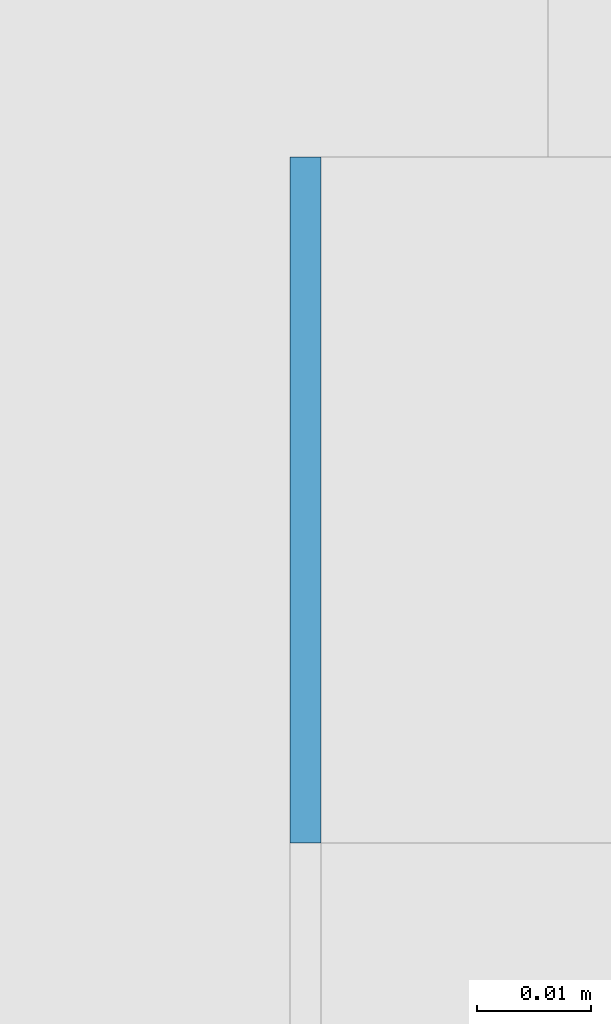
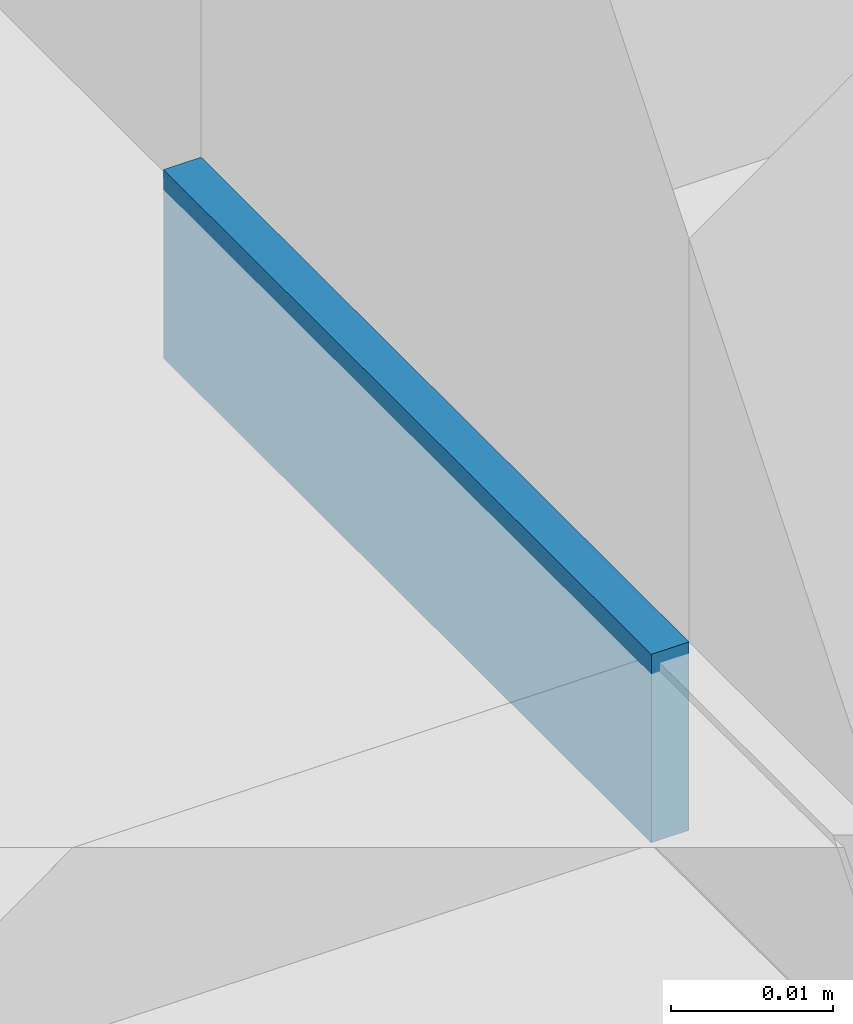
# One storey, part 574 of 646: 1 discrete accessory.
"""IFC4 building model written with IfcOpenShell, lengths in metres."""

import ifcopenshell
import ifcopenshell.guid

model = None  # the IFC model being written
_history = None  # IfcOwnerHistory: only IFC2X3 demands one
_inside = {}  # id of a spatial element -> (the spatial element, [elements in it])
_under = {}  # id of a project, library or spatial element -> (it, [spatial elements below it])
_declared = {}  # id of a project -> (the project, [libraries it declares])
_typed = {}  # id of a type object -> (the type object, [elements of that type])
_made_of = {}  # id of a material, layer set ... -> (it, [elements and type objects made of it])


def new_model(schema):
    """Start an empty IFC model of exactly this schema.

    Asked for "IFC4X3", IfcOpenShell would pick the latest addendum, in which some entities
    have other attributes; the version numbers below select the first issue.
    IFC2X3 requires an IfcOwnerHistory on every rooted entity: one is made here for all.
    """
    global model, _history
    if schema == "IFC4X3":
        model = ifcopenshell.file(schema_version=(4, 3, 0, 0))
    else:
        model = ifcopenshell.file(schema=schema)
    _inside.clear()
    _under.clear()
    _declared.clear()
    _typed.clear()
    _made_of.clear()
    _history = None
    if model.schema == "IFC2X3":
        org = make("IfcOrganization", Name="unknown")
        user = make(
            "IfcPersonAndOrganization",
            ThePerson=make("IfcPerson", FamilyName="unknown"),
            TheOrganization=org,
        )
        app = make(
            "IfcApplication",
            ApplicationDeveloper=org,
            Version="unknown",
            ApplicationFullName="unknown",
            ApplicationIdentifier="unknown",
        )
        _history = make(
            "IfcOwnerHistory",
            OwningUser=user,
            OwningApplication=app,
            ChangeAction="ADDED",
            CreationDate=0,
        )
    return model


def make(cls, **values):
    """One entity of the class cls with the attributes given. An attribute that is None is left unset."""
    return model.create_entity(
        cls, **{name: value for name, value in values.items() if value is not None}
    )


def rooted(cls, **values):
    """An entity with a GlobalId (a new one), such as an element, a storey or a relation."""
    return make(cls, GlobalId=ifcopenshell.guid.new(), OwnerHistory=_history, **values)


def si_unit(unit_type, name, prefix=None):
    """IfcSIUnit, for example si_unit("LENGTHUNIT", "METRE", prefix="MILLI")."""
    return make("IfcSIUnit", UnitType=unit_type, Prefix=prefix, Name=name)


def assignment(units):
    """IfcUnitAssignment: the units of a project."""
    return None if units is None else make("IfcUnitAssignment", Units=units)


def point(xyz):
    """IfcCartesianPoint."""
    return None if xyz is None else make("IfcCartesianPoint", Coordinates=xyz)


def direction(xyz):
    """IfcDirection."""
    return None if xyz is None else make("IfcDirection", DirectionRatios=xyz)


def frame(location, z_axis=None, x_axis=None):
    """IfcAxis2Placement3D, a coordinate frame: its origin and axes. An axis left out is left unset."""
    return make(
        "IfcAxis2Placement3D",
        Location=point(location),
        Axis=direction(z_axis),
        RefDirection=direction(x_axis),
    )


def frame_2d(location, x_axis=None):
    """IfcAxis2Placement2D, a coordinate frame in the plane: its origin and x axis."""
    return make(
        "IfcAxis2Placement2D", Location=point(location), RefDirection=direction(x_axis)
    )


def origin():
    """The frame at (0, 0, 0) with its axes left unset."""
    return frame((0.0, 0.0, 0.0))


def origin_2d():
    """The frame at (0, 0) in the plane with its x axis left unset."""
    return frame_2d((0.0, 0.0))


def place(relative_to, where):
    """IfcLocalPlacement: puts the frame where relative to a parent placement (None: the world)."""
    return make(
        "IfcLocalPlacement", PlacementRelTo=relative_to, RelativePlacement=where
    )


def context(
    kind, dimensions, precision=None, world=None, true_north=None, identifier=None
):
    """IfcGeometricRepresentationContext, for example the 3D "Model" context."""
    return make(
        "IfcGeometricRepresentationContext",
        ContextIdentifier=identifier,
        ContextType=kind,
        CoordinateSpaceDimension=dimensions,
        Precision=precision,
        WorldCoordinateSystem=world,
        TrueNorth=true_north,
    )


def subcontext(parent, identifier, kind, view, scale=None):
    """IfcGeometricRepresentationSubContext, for example "Body" below "Model"."""
    return make(
        "IfcGeometricRepresentationSubContext",
        ContextIdentifier=identifier,
        ContextType=kind,
        ParentContext=parent,
        TargetScale=scale,
        TargetView=view,
    )


def project(units=None, contexts=None):
    """IfcProject with its units and contexts."""
    return rooted(
        "IfcProject",
        Name="project",
        RepresentationContexts=contexts,
        UnitsInContext=assignment(units),
    )


def spatial(cls, under=None, at=None, **own):
    """A site, building, storey or space (cls), placed at a placement, below another one or the project."""
    s = rooted(cls, ObjectPlacement=at, **own)
    if under is not None:
        _under.setdefault(under.id(), (under, []))[1].append(s)
    return s


def profile(cls, at=None, kind="AREA", **sizes):
    """A parametric profile (cls). Its sizes go by their IFC names, for example OverallWidth=200.0."""
    return make(cls, ProfileType=kind, Position=at, **sizes)


def rectangle(**sizes):
    """IfcRectangleProfileDef."""
    return profile("IfcRectangleProfileDef", **sizes)


def extrude(swept, where, along, depth):
    """IfcExtrudedAreaSolid: the profile swept, set in the frame where, extruded along a direction by depth."""
    return make(
        "IfcExtrudedAreaSolid",
        SweptArea=swept,
        Position=where,
        ExtrudedDirection=direction(along),
        Depth=depth,
    )


def shape(context_of_items, identifier, shape_type, items):
    """IfcShapeRepresentation: the items that make up one representation, for example the "Body"."""
    return make(
        "IfcShapeRepresentation",
        ContextOfItems=context_of_items,
        RepresentationIdentifier=identifier,
        RepresentationType=shape_type,
        Items=items,
    )


def material(Name=None, Category=None):
    """IfcMaterial."""
    return make("IfcMaterial", Name=Name, Category=Category)


def made_of(thing, what):
    """Note that an element or type object is made of a material, layer set ...; save() writes the relation."""
    if what is not None:
        _made_of.setdefault(what.id(), (what, []))[1].append(thing)
    return thing


def type_object(cls, material=None, **own):
    """A type object (cls), such as IfcWallType, which elements share."""
    return made_of(rooted(cls, **own), material)


def element(
    cls,
    number,
    at=None,
    inside=None,
    cuts=None,
    type_object=None,
    material=None,
    context=None,
    identifier="Body",
    shape_type=None,
    held_by="IfcProductDefinitionShape",
    body=None,
    shapes=None,
    **own,
):
    """One element of the class cls, such as IfcWall. Its Tag is "e" and its number.

    at: its placement. inside: the storey or other place that contains it. cuts: it is an
    opening in that element (IfcRelVoidsElement). A single representation is given by context,
    identifier, shape_type and body (its items); several are given by shapes. held_by: the class
    of the entity that holds the representations. save() writes the other relations.
    """
    e = rooted(cls, Tag="e%d" % number, ObjectPlacement=at, **own)
    if body is not None:
        shapes = [shape(context, identifier, shape_type, body)]
    if shapes is not None:
        e.Representation = make(held_by, Representations=shapes)
    if inside is not None:
        _inside.setdefault(inside.id(), (inside, []))[1].append(e)
    if cuts is not None:
        rooted(
            "IfcRelVoidsElement", RelatingBuildingElement=cuts, RelatedOpeningElement=e
        )
    if type_object is not None:
        _typed.setdefault(type_object.id(), (type_object, []))[1].append(e)
    return made_of(e, material)


def aggregate(whole, parts):
    """IfcRelAggregates: a whole, such as a stair, and the parts it consists of."""
    return rooted("IfcRelAggregates", RelatingObject=whole, RelatedObjects=parts)


def save(model, path):
    """Write the relations noted so far, then the file.

    IfcRelAggregates (storeys below a building ...), IfcRelContainedInSpatialStructure (elements
    in a storey), IfcRelDefinesByType, IfcRelAssociatesMaterial and IfcRelDeclares: one each for
    every whole, place, type object, material and project.
    """
    for whole, parts in _under.values():
        aggregate(whole, parts)
    for where, things in _inside.values():
        rooted(
            "IfcRelContainedInSpatialStructure",
            RelatedElements=things,
            RelatingStructure=where,
        )
    for kind, things in _typed.values():
        rooted("IfcRelDefinesByType", RelatedObjects=things, RelatingType=kind)
    for what, things in _made_of.values():
        rooted("IfcRelAssociatesMaterial", RelatedObjects=things, RelatingMaterial=what)
    for by, libraries in _declared.values():
        rooted("IfcRelDeclares", RelatingContext=by, RelatedDefinitions=libraries)
    model.write(path)


model = new_model("IFC4")

# Units and contexts
model_context = context("Model", 3, precision=1e-05, world=origin(), true_north=direction((0.0, 1.0)))
body_context = subcontext(model_context, "Body", "Model", "MODEL_VIEW")
ifc_project = project(units=[si_unit("LENGTHUNIT", "METRE"), si_unit("AREAUNIT", "SQUARE_METRE"), si_unit("VOLUMEUNIT", "CUBIC_METRE"), si_unit("PLANEANGLEUNIT", "RADIAN"), si_unit("MASSUNIT", "GRAM", prefix="KILO")], contexts=[model_context])

# Site, building, storey
site_placement = place(None, origin())
site = spatial("IfcSite", under=ifc_project, at=site_placement, CompositionType="ELEMENT")
building_placement = place(site_placement, origin())
building = spatial("IfcBuilding", under=site, at=building_placement, Name="Silverbay Arena", CompositionType="ELEMENT")
storey_placement = place(building_placement, frame((0.0, 0.0, 33.5)))
storey = spatial("IfcBuildingStorey", under=building, at=storey_placement, Name="L05", CompositionType="ELEMENT", Elevation=33.5)

# Discrete accessory
ifc_material = material(Name="Steel S355", Category="steel")
discrete_accessory_type = type_object("IfcDiscreteAccessoryType", Name="Steel bracket plate", PredefinedType="BRACKET", material=ifc_material)
discrete_accessory_placement = place(storey_placement, frame((207.128662109375, 108.030029296875, 4.0), z_axis=(0.0, 0.0, 1.0), x_axis=(1.0, 0.0, 0.0)))
element("IfcDiscreteAccessory", 1, at=discrete_accessory_placement, inside=storey, type_object=discrete_accessory_type, Name="Curtain wall packing plate", PredefinedType="BRACKET", context=body_context, shape_type="SweptSolid", body=[
    extrude(rectangle(XDim=0.002685546875, YDim=0.06005859375, at=origin_2d()), origin(), (0.0, 0.0, 1.0), 0.01416015625),
])

save(model, "model.ifc")
